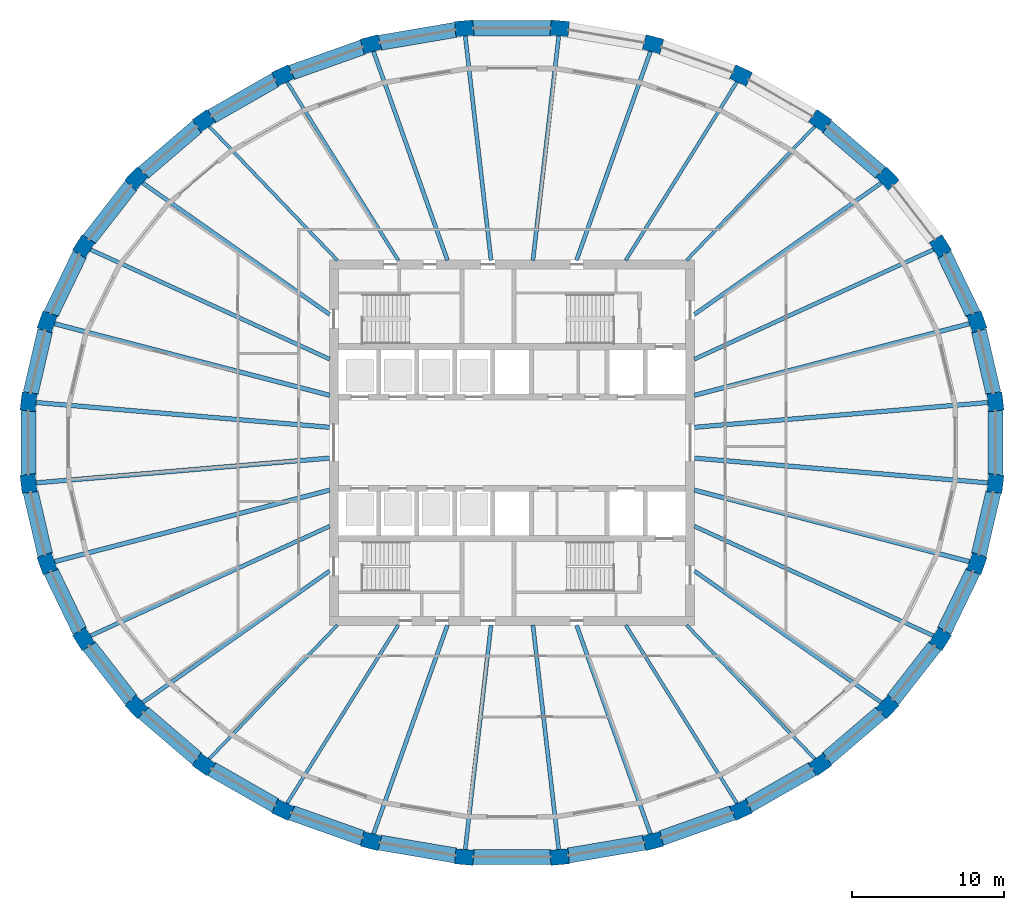
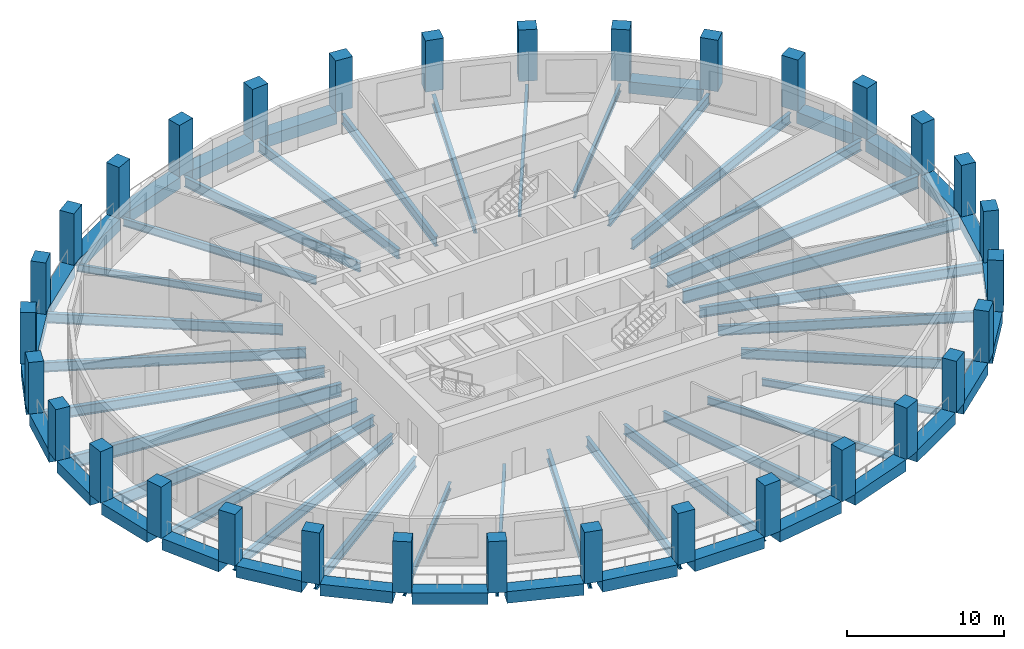
# One storey, part 1 of 11: 60 beams, 32 columns.
"""IFC4 building model written with IfcOpenShell, lengths in metres."""

from ifc_helpers import new_model, si_unit, direction, frame, origin, origin_2d, place, context, subcontext, project, spatial, rectangle, i_section, extrude, material, material_profile, profile_set, type_object, element, save


model = new_model("IFC4")

# Units and contexts
model_context = context("Model", 3, precision=1e-05, world=origin(), true_north=direction((0.0, 1.0)))
body_context = subcontext(model_context, "Body", "Model", "MODEL_VIEW")
ifc_project = project(units=[si_unit("LENGTHUNIT", "METRE"), si_unit("AREAUNIT", "SQUARE_METRE"), si_unit("VOLUMEUNIT", "CUBIC_METRE"), si_unit("PLANEANGLEUNIT", "RADIAN"), si_unit("MASSUNIT", "GRAM", prefix="KILO")], contexts=[model_context])

# Site, building, storey
site_placement = place(None, origin())
site = spatial("IfcSite", under=ifc_project, at=site_placement, CompositionType="ELEMENT")
building_placement = place(site_placement, origin())
building = spatial("IfcBuilding", under=site, at=building_placement, Name="Halqa Exchange Tower", CompositionType="ELEMENT")
storey_placement = place(building_placement, frame((0.0, 0.0, 214.89990234375)))
storey = spatial("IfcBuildingStorey", under=building, at=storey_placement, Name="L49", CompositionType="ELEMENT", Elevation=214.89990234375)

# Columns
ifc_material_1 = material(Name="Concrete C60/75", Category="concrete")
ifc_material_profile_1 = material_profile(ifc_material_1, rectangle(XDim=1.199951171875, YDim=1.0, at=origin_2d()), Name="1200 x 1000")
ifc_profile_set_1 = profile_set([ifc_material_profile_1], Name="Concrete C60/75")
column_type = type_object("IfcColumnType", Name="RC ring column 1200 x 1000 C60/75", PredefinedType="COLUMN", material=ifc_profile_set_1)
for number, where, z_axis, x_axis, name in (
    (1, (31.7412109375, 2.6796875, 0.0), (0.0, 0.0, 1.0), (-0.114156921978, 0.993462730637, 0.0), "Ring column 1"),
    (2, (30.521240234375, 7.935791015625, 0.0), (0.0, 0.0, 1.0), (-0.333625878908, 0.942705560036, 0.0), "Ring column 2"),
    (3, (28.128662109375, 12.88720703125, 0.0), (0.0, 0.0, 1.0), (-0.529144939165, 0.848531456904, 0.0), "Ring column 3"),
    (4, (24.65478515625, 17.34326171875, 0.0), (0.0, 0.0, 1.0), (-0.691574830638, 0.722304820438, 0.0), "Ring column 4"),
    (5, (20.23388671875, 21.1328125, 0.0), (0.0, 0.0, 1.0), (-0.817905775493, 0.575352189893, 0.0), "Ring column 5"),
    (6, (15.03515625, 24.110107421875, 0.0), (0.0, 0.0, 1.0), (-0.909129276708, 0.416514055265, 0.0), "Ring column 6"),
    (7, (9.258544921875, 26.1611328125, 0.0), (0.0, 0.0, 1.0), (-0.967818625157, 0.251648780643, 0.0), "Ring column 7"),
    (8, (3.126220703125, 27.206787109375, 0.0), (0.0, 0.0, 1.0), (-0.996454931683, 0.084128289675, 0.0), "Ring column 8"),
    (9, (-3.126220703125, 27.206787109375, 0.0), (0.0, 0.0, 1.0), (-0.996454931683, -0.084128289675, 0.0), "Ring column 9"),
    (10, (-9.258544921875, 26.1611328125, 0.0), (0.0, 0.0, 1.0), (-0.967818625157, -0.251648780643, 0.0), "Ring column 10"),
    (11, (-15.03515625, 24.110107421875, 0.0), (0.0, 0.0, 1.0), (-0.909129276708, -0.416514055265, 0.0), "Ring column 11"),
    (12, (-20.23388671875, 21.1328125, 0.0), (0.0, 0.0, 1.0), (-0.817905775493, -0.575352189893, 0.0), "Ring column 12"),
    (13, (-24.65478515625, 17.34326171875, 0.0), (0.0, 0.0, 1.0), (-0.691574830638, -0.722304820438, 0.0), "Ring column 13"),
    (14, (-28.128662109375, 12.88720703125, 0.0), (0.0, 0.0, 1.0), (-0.529144939165, -0.848531456904, 0.0), "Ring column 14"),
    (15, (-30.521240234375, 7.935791015625, 0.0), (0.0, 0.0, 1.0), (-0.333625878908, -0.942705560036, 0.0), "Ring column 15"),
    (16, (-31.7412109375, 2.6796875, 0.0), (0.0, 0.0, 1.0), (-0.114156921978, -0.993462730637, 0.0), "Ring column 16"),
    (17, (-31.7412109375, -2.6796875, 0.0), (0.0, 0.0, 1.0), (0.114156921978, -0.993462730637, 0.0), "Ring column 17"),
    (18, (-30.521240234375, -7.935791015625, 0.0), (0.0, 0.0, 1.0), (0.333625878908, -0.942705560036, 0.0), "Ring column 18"),
    (19, (-28.128662109375, -12.88720703125, 0.0), (0.0, 0.0, 1.0), (0.529144939165, -0.848531456904, 0.0), "Ring column 19"),
    (20, (-24.65478515625, -17.34326171875, 0.0), (0.0, 0.0, 1.0), (0.691574830638, -0.722304820438, 0.0), "Ring column 20"),
    (21, (-20.23388671875, -21.1328125, 0.0), (0.0, 0.0, 1.0), (0.817905775493, -0.575352189893, 0.0), "Ring column 21"),
    (22, (-15.03515625, -24.110107421875, 0.0), (0.0, 0.0, 1.0), (0.909129276708, -0.416514055265, 0.0), "Ring column 22"),
    (23, (-9.258544921875, -26.1611328125, 0.0), (0.0, 0.0, 1.0), (0.967818625157, -0.251648780643, 0.0), "Ring column 23"),
    (24, (-3.126220703125, -27.206787109375, 0.0), (0.0, 0.0, 1.0), (0.996454931683, -0.084128289675, 0.0), "Ring column 24"),
    (25, (3.126220703125, -27.206787109375, 0.0), (0.0, 0.0, 1.0), (0.996454931683, 0.084128289675, 0.0), "Ring column 25"),
    (26, (9.258544921875, -26.1611328125, 0.0), (0.0, 0.0, 1.0), (0.967818625157, 0.251648780643, 0.0), "Ring column 26"),
    (27, (15.03515625, -24.110107421875, 0.0), (0.0, 0.0, 1.0), (0.909129276708, 0.416514055265, 0.0), "Ring column 27"),
    (28, (20.23388671875, -21.1328125, 0.0), (0.0, 0.0, 1.0), (0.817905775493, 0.575352189893, 0.0), "Ring column 28"),
    (29, (24.65478515625, -17.34326171875, 0.0), (0.0, 0.0, 1.0), (0.691574830638, 0.722304820438, 0.0), "Ring column 29"),
    (30, (28.128662109375, -12.88720703125, 0.0), (0.0, 0.0, 1.0), (0.529144939165, 0.848531456904, 0.0), "Ring column 30"),
    (31, (30.521240234375, -7.935791015625, 0.0), (0.0, 0.0, 1.0), (0.333625878908, 0.942705560036, 0.0), "Ring column 31"),
    (32, (31.7412109375, -2.6796875, 0.0), (0.0, 0.0, 1.0), (0.114156921978, 0.993462730637, 0.0), "Ring column 32"),
):
    element("IfcColumn", number, at=place(storey_placement, frame(where, z_axis=z_axis, x_axis=x_axis)), inside=storey, type_object=column_type, Name=name, PredefinedType="COLUMN", context=body_context, shape_type="SweptSolid", body=[
        extrude(rectangle(XDim=1.199951171875, YDim=1.0, at=origin_2d()), origin(), (0.0, 0.0, 1.0), 4.0),
    ])

# Beams
ifc_material_2 = material(Name="Steel S355", Category="steel")
ifc_material_profile_2 = material_profile(ifc_material_2, i_section(OverallWidth=0.300048828125, OverallDepth=0.989990234375, WebThickness=0.0166015625, FlangeThickness=0.031005859375, FilletRadius=0.030029296875, at=origin_2d()), Name="HEA 1000")
ifc_profile_set_2 = profile_set([ifc_material_profile_2], Name="Steel S355")
beam_type_1 = type_object("IfcBeamType", Name="Floor beam HEA 1000", PredefinedType="BEAM", material=ifc_profile_set_2)
for number, where, z_axis, x_axis, name in (
    (33, (11.972412109375, 1.0107421875, -0.794921875), (0.996456098399, 0.084114469403, 0.0), (-0.084114469403, 0.996456098399, 0.0), "Radial beam 1"),
    (34, (-11.972412109375, 1.0107421875, -0.794921875), (-0.996456098399, 0.084114469403, 0.0), (-0.084114469403, -0.996456098399, 0.0), "Radial beam 16"),
    (35, (-11.972412109375, -1.0107421875, -0.794921875), (-0.996456098399, -0.084114469403, 0.0), (0.084114469403, -0.996456098399, 0.0), "Radial beam 17"),
    (36, (11.972412109375, -1.0107421875, -0.794921875), (0.996456098399, -0.084114469403, 0.0), (0.084114469403, 0.996456098399, 0.0), "Radial beam 32"),
):
    element("IfcBeam", number, at=place(storey_placement, frame(where, z_axis=z_axis, x_axis=x_axis)), inside=storey, type_object=beam_type_1, Name=name, PredefinedType="BEAM", context=body_context, shape_type="SweptSolid", body=[
        extrude(i_section(OverallWidth=0.300048828125, OverallDepth=0.989990234375, WebThickness=0.0166015625, FlangeThickness=0.031005859375, FilletRadius=0.030029296875, at=origin_2d()), origin(), (0.0, 0.0, 1.0), 19.467041015625),
    ])
ifc_material_profile_3 = material_profile(ifc_material_2, i_section(OverallWidth=0.300048828125, OverallDepth=0.7900390625, WebThickness=0.014892578125, FlangeThickness=0.028076171875, FilletRadius=0.030029296875, at=origin_2d()), Name="HEA 800")
ifc_profile_set_3 = profile_set([ifc_material_profile_3], Name="Steel S355")
beam_type_2 = type_object("IfcBeamType", Name="Floor beam HEA 800", PredefinedType="BEAM", material=ifc_profile_set_3)
for number, where, z_axis, x_axis, name in (
    (37, (11.97119140625, 3.11279296875, -0.69482421875), (0.967820861568, 0.251640179449, 0.0), (-0.251640179449, 0.967820861568, 0.0), "Radial beam 2"),
    (38, (-11.97119140625, 3.11279296875, -0.69482421875), (-0.967820861568, 0.251640179449, 0.0), (-0.251640179449, -0.967820861568, 0.0), "Radial beam 15"),
    (39, (-11.97119140625, -3.11279296875, -0.69482421875), (-0.967820861568, -0.251640179449, 0.0), (0.251640179449, -0.967820861568, 0.0), "Radial beam 18"),
    (40, (11.97119140625, -3.11279296875, -0.69482421875), (0.967820861568, -0.251640179449, 0.0), (0.251640179449, 0.967820861568, 0.0), "Radial beam 31"),
):
    element("IfcBeam", number, at=place(storey_placement, frame(where, z_axis=z_axis, x_axis=x_axis)), inside=storey, type_object=beam_type_2, Name=name, PredefinedType="BEAM", context=body_context, shape_type="SweptSolid", body=[
        extrude(i_section(OverallWidth=0.300048828125, OverallDepth=0.7900390625, WebThickness=0.014892578125, FlangeThickness=0.028076171875, FilletRadius=0.030029296875, at=origin_2d()), origin(), (0.0, 0.0, 1.0), 18.792724609375),
    ])
ifc_material_profile_4 = material_profile(ifc_material_2, i_section(OverallWidth=0.2099609375, OverallDepth=0.550048828125, WebThickness=0.010986328125, FlangeThickness=0.01708984375, FilletRadius=0.02392578125, at=origin_2d()), Name="IPE 550")
ifc_profile_set_4 = profile_set([ifc_material_profile_4], Name="Steel S355")
beam_type_3 = type_object("IfcBeamType", Name="Floor beam IPE 550", PredefinedType="BEAM", material=ifc_profile_set_4)
for number, where, z_axis, x_axis, name in (
    (41, (11.462646484375, 11.971923828125, -0.574951171875), (0.691585592551, 0.72229451623, 0.0), (-0.72229451623, 0.691585592551, 0.0), "Radial beam 5"),
    (42, (-11.462646484375, 11.971923828125, -0.574951171875), (-0.691585592551, 0.72229451623, 0.0), (-0.72229451623, -0.691585592551, 0.0), "Radial beam 12"),
    (43, (-11.462646484375, -11.971923828125, -0.574951171875), (-0.691585592551, -0.72229451623, 0.0), (0.72229451623, -0.691585592551, 0.0), "Radial beam 21"),
    (44, (11.462646484375, -11.971923828125, -0.574951171875), (0.691585592551, -0.72229451623, 0.0), (0.72229451623, 0.691585592551, 0.0), "Radial beam 28"),
):
    element("IfcBeam", number, at=place(storey_placement, frame(where, z_axis=z_axis, x_axis=x_axis)), inside=storey, type_object=beam_type_3, Name=name, PredefinedType="BEAM", context=body_context, shape_type="SweptSolid", body=[
        extrude(i_section(OverallWidth=0.2099609375, OverallDepth=0.550048828125, WebThickness=0.010986328125, FlangeThickness=0.01708984375, FilletRadius=0.02392578125, at=origin_2d()), origin(), (0.0, 0.0, 1.0), 12.306884765625),
    ])
ifc_material_profile_5 = material_profile(ifc_material_2, i_section(OverallWidth=0.219970703125, OverallDepth=0.60009765625, WebThickness=0.011962890625, FlangeThickness=0.01904296875, FilletRadius=0.02392578125, at=origin_2d()), Name="IPE 600")
ifc_profile_set_5 = profile_set([ifc_material_profile_5], Name="Steel S355")
beam_type_4 = type_object("IfcBeamType", Name="Floor beam IPE 600", PredefinedType="BEAM", material=ifc_profile_set_5)
for number, where, z_axis, x_axis, name in (
    (45, (7.466064453125, 11.972412109375, -0.599853515625), (0.529138411563, 0.848535527487, 0.0), (-0.848535527487, 0.529138411563, 0.0), "Radial beam 6"),
    (46, (-7.466064453125, 11.972412109375, -0.599853515625), (-0.529138411563, 0.848535527487, 0.0), (-0.848535527487, -0.529138411563, 0.0), "Radial beam 11"),
    (47, (-7.466064453125, -11.972412109375, -0.599853515625), (-0.529138411563, -0.848535527487, 0.0), (0.848535527487, -0.529138411563, 0.0), "Radial beam 22"),
    (48, (7.466064453125, -11.972412109375, -0.599853515625), (0.529138411563, -0.848535527487, 0.0), (0.848535527487, 0.529138411563, 0.0), "Radial beam 27"),
):
    element("IfcBeam", number, at=place(storey_placement, frame(where, z_axis=z_axis, x_axis=x_axis)), inside=storey, type_object=beam_type_4, Name=name, PredefinedType="BEAM", context=body_context, shape_type="SweptSolid", body=[
        extrude(i_section(OverallWidth=0.219970703125, OverallDepth=0.60009765625, WebThickness=0.011962890625, FlangeThickness=0.01904296875, FilletRadius=0.02392578125, at=origin_2d()), origin(), (0.0, 0.0, 1.0), 13.928466796875),
    ])
ifc_material_profile_6 = material_profile(ifc_material_2, i_section(OverallWidth=0.264892578125, OverallDepth=0.7529296875, WebThickness=0.01318359375, FlangeThickness=0.01708984375, FilletRadius=0.01708984375, at=origin_2d()), Name="IPE 750x147")
ifc_profile_set_6 = profile_set([ifc_material_profile_6], Name="Steel S355")
beam_type_5 = type_object("IfcBeamType", Name="Floor beam IPE 750x147", PredefinedType="BEAM", material=ifc_profile_set_6)
beam_1_placement = place(storey_placement, frame((11.972412109375, 5.485107421875, -0.676513671875), z_axis=(0.909123289246, 0.416527123908, 0.0), x_axis=(-0.416527123908, 0.909123289246, 0.0)))
element("IfcBeam", 49, at=beam_1_placement, inside=storey, type_object=beam_type_5, Name="Radial beam 3", PredefinedType="BEAM", context=body_context, shape_type="SweptSolid", body=[
    extrude(i_section(OverallWidth=0.264892578125, OverallDepth=0.7529296875, WebThickness=0.01318359375, FlangeThickness=0.01708984375, FilletRadius=0.01708984375, at=origin_2d()), origin(), (0.0, 0.0, 1.0), 17.395263671875),
])
beam_2_placement = place(storey_placement, frame((11.97216796875, 8.421630859375, -0.676513671875), z_axis=(0.817905412654, 0.575352705696, 0.0), x_axis=(-0.575352705696, 0.817905412654, 0.0)))
element("IfcBeam", 50, at=beam_2_placement, inside=storey, type_object=beam_type_5, Name="Radial beam 4", PredefinedType="BEAM", context=body_context, shape_type="SweptSolid", body=[
    extrude(i_section(OverallWidth=0.264892578125, OverallDepth=0.7529296875, WebThickness=0.01318359375, FlangeThickness=0.01708984375, FilletRadius=0.01708984375, at=origin_2d()), origin(), (0.0, 0.0, 1.0), 15.13037109375),
])
beam_3_placement = place(storey_placement, frame((4.23681640625, 11.9716796875, -0.676513671875), z_axis=(0.333629137418, 0.942704406835, 0.0), x_axis=(-0.942704406835, 0.333629137418, 0.0)))
element("IfcBeam", 51, at=beam_3_placement, inside=storey, type_object=beam_type_5, Name="Radial beam 7", PredefinedType="BEAM", context=body_context, shape_type="SweptSolid", body=[
    extrude(i_section(OverallWidth=0.264892578125, OverallDepth=0.7529296875, WebThickness=0.01318359375, FlangeThickness=0.01708984375, FilletRadius=0.01708984375, at=origin_2d()), origin(), (0.0, 0.0, 1.0), 14.677978515625),
])
for number, where, z_axis, x_axis, name in (
    (52, (1.375732421875, 11.972900390625, -0.676513671875), (0.114155871947, 0.993462851293, 0.0), (-0.993462851293, 0.114155871947, 0.0), "Radial beam 8"),
    (53, (-1.375732421875, 11.972900390625, -0.676513671875), (-0.114155871947, 0.993462851293, 0.0), (-0.993462851293, -0.114155871947, 0.0), "Radial beam 9"),
):
    element("IfcBeam", number, at=place(storey_placement, frame(where, z_axis=z_axis, x_axis=x_axis)), inside=storey, type_object=beam_type_5, Name=name, PredefinedType="BEAM", context=body_context, shape_type="SweptSolid", body=[
        extrude(i_section(OverallWidth=0.264892578125, OverallDepth=0.7529296875, WebThickness=0.01318359375, FlangeThickness=0.01708984375, FilletRadius=0.01708984375, at=origin_2d()), origin(), (0.0, 0.0, 1.0), 14.962158203125),
    ])
beam_4_placement = place(storey_placement, frame((-4.23681640625, 11.9716796875, -0.676513671875), z_axis=(-0.333629137418, 0.942704406835, 0.0), x_axis=(-0.942704406835, -0.333629137418, 0.0)))
element("IfcBeam", 54, at=beam_4_placement, inside=storey, type_object=beam_type_5, Name="Radial beam 10", PredefinedType="BEAM", context=body_context, shape_type="SweptSolid", body=[
    extrude(i_section(OverallWidth=0.264892578125, OverallDepth=0.7529296875, WebThickness=0.01318359375, FlangeThickness=0.01708984375, FilletRadius=0.01708984375, at=origin_2d()), origin(), (0.0, 0.0, 1.0), 14.677978515625),
])
beam_5_placement = place(storey_placement, frame((-11.97216796875, 8.421630859375, -0.676513671875), z_axis=(-0.817905412654, 0.575352705696, 0.0), x_axis=(-0.575352705696, -0.817905412654, 0.0)))
element("IfcBeam", 55, at=beam_5_placement, inside=storey, type_object=beam_type_5, Name="Radial beam 13", PredefinedType="BEAM", context=body_context, shape_type="SweptSolid", body=[
    extrude(i_section(OverallWidth=0.264892578125, OverallDepth=0.7529296875, WebThickness=0.01318359375, FlangeThickness=0.01708984375, FilletRadius=0.01708984375, at=origin_2d()), origin(), (0.0, 0.0, 1.0), 15.13037109375),
])
for number, where, z_axis, x_axis, name in (
    (56, (-11.972412109375, 5.485107421875, -0.676513671875), (-0.909123289246, 0.416527123908, 0.0), (-0.416527123908, -0.909123289246, 0.0), "Radial beam 14"),
    (57, (-11.972412109375, -5.485107421875, -0.676513671875), (-0.909123289246, -0.416527123908, 0.0), (0.416527123908, -0.909123289246, 0.0), "Radial beam 19"),
):
    element("IfcBeam", number, at=place(storey_placement, frame(where, z_axis=z_axis, x_axis=x_axis)), inside=storey, type_object=beam_type_5, Name=name, PredefinedType="BEAM", context=body_context, shape_type="SweptSolid", body=[
        extrude(i_section(OverallWidth=0.264892578125, OverallDepth=0.7529296875, WebThickness=0.01318359375, FlangeThickness=0.01708984375, FilletRadius=0.01708984375, at=origin_2d()), origin(), (0.0, 0.0, 1.0), 17.395263671875),
    ])
beam_6_placement = place(storey_placement, frame((-11.97216796875, -8.421630859375, -0.676513671875), z_axis=(-0.817905412654, -0.575352705696, 0.0), x_axis=(0.575352705696, -0.817905412654, 0.0)))
element("IfcBeam", 58, at=beam_6_placement, inside=storey, type_object=beam_type_5, Name="Radial beam 20", PredefinedType="BEAM", context=body_context, shape_type="SweptSolid", body=[
    extrude(i_section(OverallWidth=0.264892578125, OverallDepth=0.7529296875, WebThickness=0.01318359375, FlangeThickness=0.01708984375, FilletRadius=0.01708984375, at=origin_2d()), origin(), (0.0, 0.0, 1.0), 15.13037109375),
])
beam_7_placement = place(storey_placement, frame((-4.23681640625, -11.9716796875, -0.676513671875), z_axis=(-0.333629137418, -0.942704406835, 0.0), x_axis=(0.942704406835, -0.333629137418, 0.0)))
element("IfcBeam", 59, at=beam_7_placement, inside=storey, type_object=beam_type_5, Name="Radial beam 23", PredefinedType="BEAM", context=body_context, shape_type="SweptSolid", body=[
    extrude(i_section(OverallWidth=0.264892578125, OverallDepth=0.7529296875, WebThickness=0.01318359375, FlangeThickness=0.01708984375, FilletRadius=0.01708984375, at=origin_2d()), origin(), (0.0, 0.0, 1.0), 14.677978515625),
])
for number, where, z_axis, x_axis, name in (
    (60, (-1.375732421875, -11.972900390625, -0.676513671875), (-0.114155871947, -0.993462851293, 0.0), (0.993462851293, -0.114155871947, 0.0), "Radial beam 24"),
    (61, (1.375732421875, -11.972900390625, -0.676513671875), (0.114155871947, -0.993462851293, 0.0), (0.993462851293, 0.114155871947, 0.0), "Radial beam 25"),
):
    element("IfcBeam", number, at=place(storey_placement, frame(where, z_axis=z_axis, x_axis=x_axis)), inside=storey, type_object=beam_type_5, Name=name, PredefinedType="BEAM", context=body_context, shape_type="SweptSolid", body=[
        extrude(i_section(OverallWidth=0.264892578125, OverallDepth=0.7529296875, WebThickness=0.01318359375, FlangeThickness=0.01708984375, FilletRadius=0.01708984375, at=origin_2d()), origin(), (0.0, 0.0, 1.0), 14.962158203125),
    ])
beam_8_placement = place(storey_placement, frame((4.23681640625, -11.9716796875, -0.676513671875), z_axis=(0.333629137418, -0.942704406835, 0.0), x_axis=(0.942704406835, 0.333629137418, 0.0)))
element("IfcBeam", 62, at=beam_8_placement, inside=storey, type_object=beam_type_5, Name="Radial beam 26", PredefinedType="BEAM", context=body_context, shape_type="SweptSolid", body=[
    extrude(i_section(OverallWidth=0.264892578125, OverallDepth=0.7529296875, WebThickness=0.01318359375, FlangeThickness=0.01708984375, FilletRadius=0.01708984375, at=origin_2d()), origin(), (0.0, 0.0, 1.0), 14.677978515625),
])
beam_9_placement = place(storey_placement, frame((11.97216796875, -8.421630859375, -0.676513671875), z_axis=(0.817905412654, -0.575352705696, 0.0), x_axis=(0.575352705696, 0.817905412654, 0.0)))
element("IfcBeam", 63, at=beam_9_placement, inside=storey, type_object=beam_type_5, Name="Radial beam 29", PredefinedType="BEAM", context=body_context, shape_type="SweptSolid", body=[
    extrude(i_section(OverallWidth=0.264892578125, OverallDepth=0.7529296875, WebThickness=0.01318359375, FlangeThickness=0.01708984375, FilletRadius=0.01708984375, at=origin_2d()), origin(), (0.0, 0.0, 1.0), 15.13037109375),
])
beam_10_placement = place(storey_placement, frame((11.972412109375, -5.485107421875, -0.676513671875), z_axis=(0.909123289246, -0.416527123908, 0.0), x_axis=(0.416527123908, 0.909123289246, 0.0)))
element("IfcBeam", 64, at=beam_10_placement, inside=storey, type_object=beam_type_5, Name="Radial beam 30", PredefinedType="BEAM", context=body_context, shape_type="SweptSolid", body=[
    extrude(i_section(OverallWidth=0.264892578125, OverallDepth=0.7529296875, WebThickness=0.01318359375, FlangeThickness=0.01708984375, FilletRadius=0.01708984375, at=origin_2d()), origin(), (0.0, 0.0, 1.0), 17.395263671875),
])
ifc_material_profile_7 = material_profile(ifc_material_1, rectangle(XDim=1.0, YDim=0.89990234375, at=origin_2d()), Name="1000 x 900")
ifc_profile_set_7 = profile_set([ifc_material_profile_7], Name="Concrete C60/75")
beam_type_6 = type_object("IfcBeamType", Name="RC spandrel beam 1000 x 900 C60/75", PredefinedType="SPANDREL", material=ifc_profile_set_7)
beam_11_placement = place(storey_placement, frame((31.61083984375, 3.240966796875, -0.449951171875), z_axis=(-0.226081944546, 0.974108286768, 0.0), x_axis=(-0.974108286768, -0.226081944546, 0.0)))
element("IfcBeam", 65, at=beam_11_placement, inside=storey, type_object=beam_type_6, Name="Spandrel 1", PredefinedType="SPANDREL", context=body_context, shape_type="SweptSolid", body=[
    extrude(rectangle(XDim=1.0, YDim=0.89990234375, at=origin_2d()), origin(), (0.0, 0.0, 1.0), 4.243896484375),
])
beam_12_placement = place(storey_placement, frame((30.271240234375, 8.453369140625, -0.449951171875), z_axis=(-0.435091293077, 0.900386343015, 0.0), x_axis=(-0.900386343015, -0.435091293077, 0.0)))
element("IfcBeam", 66, at=beam_12_placement, inside=storey, type_object=beam_type_6, Name="Spandrel 2", PredefinedType="SPANDREL", context=body_context, shape_type="SweptSolid", body=[
    extrude(rectangle(XDim=1.0, YDim=0.89990234375, at=origin_2d()), origin(), (0.0, 0.0, 1.0), 4.3486328125),
])
beam_13_placement = place(storey_placement, frame((24.21923828125, 17.716552734375, -0.449951171875), z_axis=(-0.759260288888, 0.650787072488, 0.0), x_axis=(-0.650787072488, -0.759260288888, 0.0)))
element("IfcBeam", 67, at=beam_13_placement, inside=storey, type_object=beam_type_6, Name="Spandrel 4", PredefinedType="SPANDREL", context=body_context, shape_type="SweptSolid", body=[
    extrude(rectangle(XDim=1.0, YDim=0.89990234375, at=origin_2d()), origin(), (0.0, 0.0, 1.0), 4.6748046875),
])
beam_14_placement = place(storey_placement, frame((2.552734375, 27.206787109375, -0.449951171875), z_axis=(-1.0, 0.0, 0.0), x_axis=(0.0, -1.0, 0.0)))
element("IfcBeam", 68, at=beam_14_placement, inside=storey, type_object=beam_type_6, Name="Spandrel 8", PredefinedType="SPANDREL", context=body_context, shape_type="SweptSolid", body=[
    extrude(rectangle(XDim=1.0, YDim=0.89990234375, at=origin_2d()), origin(), (0.0, 0.0, 1.0), 5.10546875),
])
beam_15_placement = place(storey_placement, frame((-3.69189453125, 27.1103515625, -0.449951171875), z_axis=(-0.985769121581, -0.168104845076, 0.0), x_axis=(0.168104845076, -0.985769121581, 0.0)))
element("IfcBeam", 69, at=beam_15_placement, inside=storey, type_object=beam_type_6, Name="Spandrel 9", PredefinedType="SPANDREL", context=body_context, shape_type="SweptSolid", body=[
    extrude(rectangle(XDim=1.0, YDim=0.89990234375, at=origin_2d()), origin(), (0.0, 0.0, 1.0), 5.072998046875),
])
beam_16_placement = place(storey_placement, frame((-9.800048828125, 25.96875, -0.449951171875), z_axis=(-0.942368939802, -0.334575524054, 0.0), x_axis=(0.334575524054, -0.942368939802, 0.0)))
element("IfcBeam", 70, at=beam_16_placement, inside=storey, type_object=beam_type_6, Name="Spandrel 10", PredefinedType="SPANDREL", context=body_context, shape_type="SweptSolid", body=[
    extrude(rectangle(XDim=1.0, YDim=0.89990234375, at=origin_2d()), origin(), (0.0, 0.0, 1.0), 4.981689453125),
])
beam_17_placement = place(storey_placement, frame((-15.533447265625, 23.82470703125, -0.449951171875), z_axis=(-0.867767943929, -0.49696961224, 0.0), x_axis=(0.49696961224, -0.867767943929, 0.0)))
element("IfcBeam", 71, at=beam_17_placement, inside=storey, type_object=beam_type_6, Name="Spandrel 11", PredefinedType="SPANDREL", context=body_context, shape_type="SweptSolid", body=[
    extrude(rectangle(XDim=1.0, YDim=0.89990234375, at=origin_2d()), origin(), (0.0, 0.0, 1.0), 4.84130859375),
])
beam_18_placement = place(storey_placement, frame((-20.669921875, 20.7587890625, -0.449951171875), z_axis=(-0.759260288888, -0.650787072488, 0.0), x_axis=(0.650787072488, -0.759260288888, 0.0)))
element("IfcBeam", 72, at=beam_18_placement, inside=storey, type_object=beam_type_6, Name="Spandrel 12", PredefinedType="SPANDREL", context=body_context, shape_type="SweptSolid", body=[
    extrude(rectangle(XDim=1.0, YDim=0.89990234375, at=origin_2d()), origin(), (0.0, 0.0, 1.0), 4.6748046875),
])
beam_19_placement = place(storey_placement, frame((-25.008544921875, 16.8896484375, -0.449951171875), z_axis=(-0.614807814893, -0.788676962226, 0.0), x_axis=(0.788676962226, -0.614807814893, 0.0)))
element("IfcBeam", 73, at=beam_19_placement, inside=storey, type_object=beam_type_6, Name="Spandrel 13", PredefinedType="SPANDREL", context=body_context, shape_type="SweptSolid", body=[
    extrude(rectangle(XDim=1.0, YDim=0.89990234375, at=origin_2d()), origin(), (0.0, 0.0, 1.0), 4.500244140625),
])
beam_20_placement = place(storey_placement, frame((-28.379150390625, 12.368896484375, -0.449951171875), z_axis=(-0.435091293077, -0.900386343015, 0.0), x_axis=(0.900386343015, -0.435091293077, 0.0)))
element("IfcBeam", 74, at=beam_20_placement, inside=storey, type_object=beam_type_6, Name="Spandrel 14", PredefinedType="SPANDREL", context=body_context, shape_type="SweptSolid", body=[
    extrude(rectangle(XDim=1.0, YDim=0.89990234375, at=origin_2d()), origin(), (0.0, 0.0, 1.0), 4.3486328125),
])
beam_21_placement = place(storey_placement, frame((-30.6513671875, 7.375, -0.449951171875), z_axis=(-0.226081944546, -0.974108286768, 0.0), x_axis=(0.974108286768, -0.226081944546, 0.0)))
element("IfcBeam", 75, at=beam_21_placement, inside=storey, type_object=beam_type_6, Name="Spandrel 15", PredefinedType="SPANDREL", context=body_context, shape_type="SweptSolid", body=[
    extrude(rectangle(XDim=1.0, YDim=0.89990234375, at=origin_2d()), origin(), (0.0, 0.0, 1.0), 4.243896484375),
])
beam_22_placement = place(storey_placement, frame((-31.7412109375, 2.102783203125, -0.449951171875), z_axis=(0.0, -1.0, 0.0), x_axis=(1.0, 0.0, 0.0)))
element("IfcBeam", 76, at=beam_22_placement, inside=storey, type_object=beam_type_6, Name="Spandrel 16", PredefinedType="SPANDREL", context=body_context, shape_type="SweptSolid", body=[
    extrude(rectangle(XDim=1.0, YDim=0.89990234375, at=origin_2d()), origin(), (0.0, 0.0, 1.0), 4.20556640625),
])
beam_23_placement = place(storey_placement, frame((-31.61083984375, -3.240966796875, -0.449951171875), z_axis=(0.226081944546, -0.974108286768, 0.0), x_axis=(0.974108286768, 0.226081944546, 0.0)))
element("IfcBeam", 77, at=beam_23_placement, inside=storey, type_object=beam_type_6, Name="Spandrel 17", PredefinedType="SPANDREL", context=body_context, shape_type="SweptSolid", body=[
    extrude(rectangle(XDim=1.0, YDim=0.89990234375, at=origin_2d()), origin(), (0.0, 0.0, 1.0), 4.243896484375),
])
beam_24_placement = place(storey_placement, frame((-30.271240234375, -8.453369140625, -0.449951171875), z_axis=(0.435091293077, -0.900386343015, 0.0), x_axis=(0.900386343015, 0.435091293077, 0.0)))
element("IfcBeam", 78, at=beam_24_placement, inside=storey, type_object=beam_type_6, Name="Spandrel 18", PredefinedType="SPANDREL", context=body_context, shape_type="SweptSolid", body=[
    extrude(rectangle(XDim=1.0, YDim=0.89990234375, at=origin_2d()), origin(), (0.0, 0.0, 1.0), 4.3486328125),
])
beam_25_placement = place(storey_placement, frame((-27.775390625, -13.34033203125, -0.449951171875), z_axis=(0.614807814893, -0.788676962226, 0.0), x_axis=(0.788676962226, 0.614807814893, 0.0)))
element("IfcBeam", 79, at=beam_25_placement, inside=storey, type_object=beam_type_6, Name="Spandrel 19", PredefinedType="SPANDREL", context=body_context, shape_type="SweptSolid", body=[
    extrude(rectangle(XDim=1.0, YDim=0.89990234375, at=origin_2d()), origin(), (0.0, 0.0, 1.0), 4.500244140625),
])
beam_26_placement = place(storey_placement, frame((-24.21923828125, -17.716552734375, -0.449951171875), z_axis=(0.759260288888, -0.650787072488, 0.0), x_axis=(0.650787072488, 0.759260288888, 0.0)))
element("IfcBeam", 80, at=beam_26_placement, inside=storey, type_object=beam_type_6, Name="Spandrel 20", PredefinedType="SPANDREL", context=body_context, shape_type="SweptSolid", body=[
    extrude(rectangle(XDim=1.0, YDim=0.89990234375, at=origin_2d()), origin(), (0.0, 0.0, 1.0), 4.6748046875),
])
beam_27_placement = place(storey_placement, frame((-19.734619140625, -21.418701171875, -0.449951171875), z_axis=(0.867767943929, -0.49696961224, 0.0), x_axis=(0.49696961224, 0.867767943929, 0.0)))
element("IfcBeam", 81, at=beam_27_placement, inside=storey, type_object=beam_type_6, Name="Spandrel 21", PredefinedType="SPANDREL", context=body_context, shape_type="SweptSolid", body=[
    extrude(rectangle(XDim=1.0, YDim=0.89990234375, at=origin_2d()), origin(), (0.0, 0.0, 1.0), 4.84130859375),
])
beam_28_placement = place(storey_placement, frame((-14.49462890625, -24.302001953125, -0.449951171875), z_axis=(0.942368939802, -0.334575524054, 0.0), x_axis=(0.334575524054, 0.942368939802, 0.0)))
element("IfcBeam", 82, at=beam_28_placement, inside=storey, type_object=beam_type_6, Name="Spandrel 22", PredefinedType="SPANDREL", context=body_context, shape_type="SweptSolid", body=[
    extrude(rectangle(XDim=1.0, YDim=0.89990234375, at=origin_2d()), origin(), (0.0, 0.0, 1.0), 4.981689453125),
])
beam_29_placement = place(storey_placement, frame((-8.692626953125, -26.257568359375, -0.449951171875), z_axis=(0.985769121581, -0.168104845076, 0.0), x_axis=(0.168104845076, 0.985769121581, 0.0)))
element("IfcBeam", 83, at=beam_29_placement, inside=storey, type_object=beam_type_6, Name="Spandrel 23", PredefinedType="SPANDREL", context=body_context, shape_type="SweptSolid", body=[
    extrude(rectangle(XDim=1.0, YDim=0.89990234375, at=origin_2d()), origin(), (0.0, 0.0, 1.0), 5.072998046875),
])
beam_30_placement = place(storey_placement, frame((-2.552734375, -27.206787109375, -0.449951171875), z_axis=(1.0, 0.0, 0.0), x_axis=(0.0, 1.0, 0.0)))
element("IfcBeam", 84, at=beam_30_placement, inside=storey, type_object=beam_type_6, Name="Spandrel 24", PredefinedType="SPANDREL", context=body_context, shape_type="SweptSolid", body=[
    extrude(rectangle(XDim=1.0, YDim=0.89990234375, at=origin_2d()), origin(), (0.0, 0.0, 1.0), 5.10546875),
])
beam_31_placement = place(storey_placement, frame((3.69189453125, -27.1103515625, -0.449951171875), z_axis=(0.985769121581, 0.168104845076, 0.0), x_axis=(-0.168104845076, 0.985769121581, 0.0)))
element("IfcBeam", 85, at=beam_31_placement, inside=storey, type_object=beam_type_6, Name="Spandrel 25", PredefinedType="SPANDREL", context=body_context, shape_type="SweptSolid", body=[
    extrude(rectangle(XDim=1.0, YDim=0.89990234375, at=origin_2d()), origin(), (0.0, 0.0, 1.0), 5.072998046875),
])
beam_32_placement = place(storey_placement, frame((9.800048828125, -25.96875, -0.449951171875), z_axis=(0.942368939802, 0.334575524054, 0.0), x_axis=(-0.334575524054, 0.942368939802, 0.0)))
element("IfcBeam", 86, at=beam_32_placement, inside=storey, type_object=beam_type_6, Name="Spandrel 26", PredefinedType="SPANDREL", context=body_context, shape_type="SweptSolid", body=[
    extrude(rectangle(XDim=1.0, YDim=0.89990234375, at=origin_2d()), origin(), (0.0, 0.0, 1.0), 4.981689453125),
])
beam_33_placement = place(storey_placement, frame((15.533447265625, -23.82470703125, -0.449951171875), z_axis=(0.867767943929, 0.49696961224, 0.0), x_axis=(-0.49696961224, 0.867767943929, 0.0)))
element("IfcBeam", 87, at=beam_33_placement, inside=storey, type_object=beam_type_6, Name="Spandrel 27", PredefinedType="SPANDREL", context=body_context, shape_type="SweptSolid", body=[
    extrude(rectangle(XDim=1.0, YDim=0.89990234375, at=origin_2d()), origin(), (0.0, 0.0, 1.0), 4.84130859375),
])
beam_34_placement = place(storey_placement, frame((20.669921875, -20.7587890625, -0.449951171875), z_axis=(0.759260288888, 0.650787072488, 0.0), x_axis=(-0.650787072488, 0.759260288888, 0.0)))
element("IfcBeam", 88, at=beam_34_placement, inside=storey, type_object=beam_type_6, Name="Spandrel 28", PredefinedType="SPANDREL", context=body_context, shape_type="SweptSolid", body=[
    extrude(rectangle(XDim=1.0, YDim=0.89990234375, at=origin_2d()), origin(), (0.0, 0.0, 1.0), 4.6748046875),
])
beam_35_placement = place(storey_placement, frame((25.008544921875, -16.8896484375, -0.449951171875), z_axis=(0.614807814893, 0.788676962226, 0.0), x_axis=(-0.788676962226, 0.614807814893, 0.0)))
element("IfcBeam", 89, at=beam_35_placement, inside=storey, type_object=beam_type_6, Name="Spandrel 29", PredefinedType="SPANDREL", context=body_context, shape_type="SweptSolid", body=[
    extrude(rectangle(XDim=1.0, YDim=0.89990234375, at=origin_2d()), origin(), (0.0, 0.0, 1.0), 4.500244140625),
])
beam_36_placement = place(storey_placement, frame((28.379150390625, -12.368896484375, -0.449951171875), z_axis=(0.435091293077, 0.900386343015, 0.0), x_axis=(-0.900386343015, 0.435091293077, 0.0)))
element("IfcBeam", 90, at=beam_36_placement, inside=storey, type_object=beam_type_6, Name="Spandrel 30", PredefinedType="SPANDREL", context=body_context, shape_type="SweptSolid", body=[
    extrude(rectangle(XDim=1.0, YDim=0.89990234375, at=origin_2d()), origin(), (0.0, 0.0, 1.0), 4.3486328125),
])
beam_37_placement = place(storey_placement, frame((30.6513671875, -7.375, -0.449951171875), z_axis=(0.226081944546, 0.974108286768, 0.0), x_axis=(-0.974108286768, 0.226081944546, 0.0)))
element("IfcBeam", 91, at=beam_37_placement, inside=storey, type_object=beam_type_6, Name="Spandrel 31", PredefinedType="SPANDREL", context=body_context, shape_type="SweptSolid", body=[
    extrude(rectangle(XDim=1.0, YDim=0.89990234375, at=origin_2d()), origin(), (0.0, 0.0, 1.0), 4.243896484375),
])
beam_38_placement = place(storey_placement, frame((31.7412109375, -2.102783203125, -0.449951171875), z_axis=(0.0, 1.0, 0.0), x_axis=(-1.0, 0.0, 0.0)))
element("IfcBeam", 92, at=beam_38_placement, inside=storey, type_object=beam_type_6, Name="Spandrel 32", PredefinedType="SPANDREL", context=body_context, shape_type="SweptSolid", body=[
    extrude(rectangle(XDim=1.0, YDim=0.89990234375, at=origin_2d()), origin(), (0.0, 0.0, 1.0), 4.20556640625),
])

save(model, "model.ifc")
